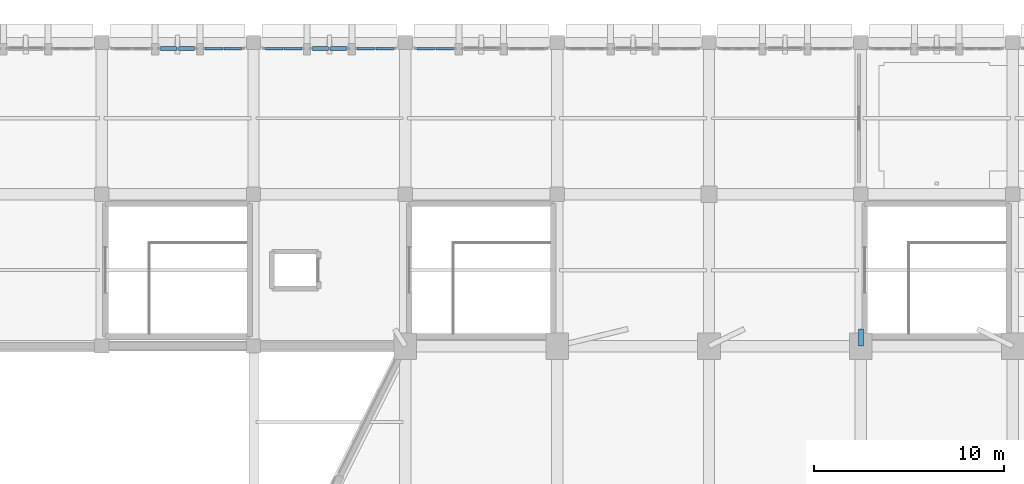
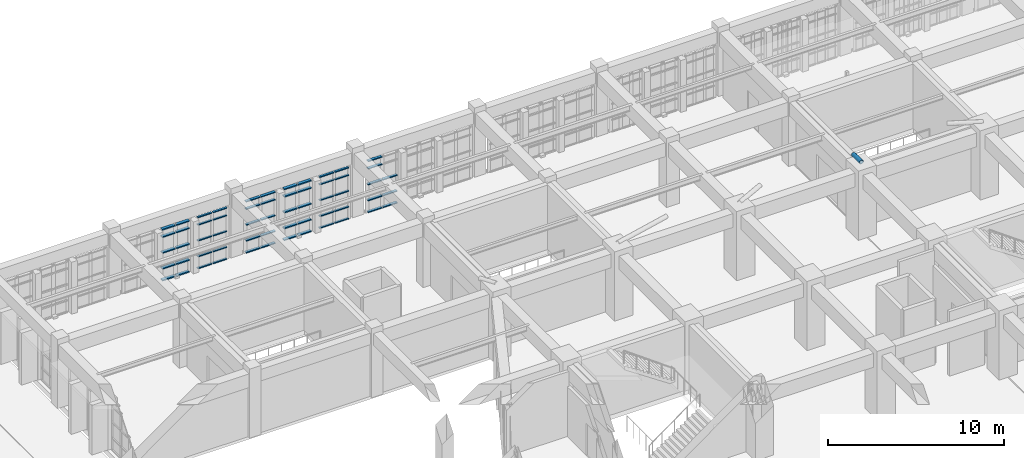
# One storey, part 69 of 155: 59 members, 6 elements without a shape of their own.
"""IFC4 building model written with IfcOpenShell, lengths in metres."""

from ifc_helpers import new_model, si_unit, direction, frame, origin, origin_2d, place, context, subcontext, project, spatial, rectangle, hollow_circle, extrude, material, layer, layer_set, material_profile, profile_set, type_object, element, aggregate, save


model = new_model("IFC4")

# Units and contexts
model_context = context("Model", 3, precision=1e-05, world=origin(), true_north=direction((0.0, 1.0)))
body_context = subcontext(model_context, "Body", "Model", "MODEL_VIEW")
ifc_project = project(units=[si_unit("LENGTHUNIT", "METRE"), si_unit("AREAUNIT", "SQUARE_METRE"), si_unit("VOLUMEUNIT", "CUBIC_METRE"), si_unit("PLANEANGLEUNIT", "RADIAN"), si_unit("MASSUNIT", "GRAM", prefix="KILO")], contexts=[model_context])

# Site, building, storey
site_placement = place(None, origin())
site = spatial("IfcSite", under=ifc_project, at=site_placement, CompositionType="ELEMENT")
building_placement = place(site_placement, origin())
building = spatial("IfcBuilding", under=site, at=building_placement, Name="Tazarka Park Arena", CompositionType="ELEMENT")
storey_placement = place(building_placement, frame((0.0, 0.0, 5.39990234375)))
storey = spatial("IfcBuildingStorey", under=building, at=storey_placement, Name="L01", CompositionType="ELEMENT", Elevation=5.39990234375)

# Curtain wall, members
ifc_material_1 = material(Name="Aluminium and low-e glass", Category="aluminium")
ifc_layer_1 = layer(ifc_material_1, 0.179931640625, Name="Aluminium and low-e glass")
ifc_layer_set_1 = layer_set([ifc_layer_1], Name="Aluminium and low-e glass")
curtain_wall_type_1 = type_object("IfcCurtainWallType", Name="CW-18", PredefinedType="NOTDEFINED", material=ifc_layer_set_1)
curtain_wall_1_placement = place(storey_placement, origin())
curtain_wall_1 = element("IfcCurtainWall", 1, at=curtain_wall_1_placement, inside=storey, type_object=curtain_wall_type_1, Name="Curtain Wall CWA-L01-048", PredefinedType="NOTDEFINED")
ifc_material_2 = material(Name="Aluminium 6060-T66", Category="aluminium")
ifc_material_profile_1 = material_profile(ifc_material_2, rectangle(XDim=0.139892578125, YDim=0.06494140625, at=origin_2d()), Name="Aluminium 6060-T66")
ifc_profile_set_1 = profile_set([ifc_material_profile_1], Name="Aluminium 6060-T66")
member_type_1 = type_object("IfcMemberType", Name="CWT-01", PredefinedType="USERDEFINED", material=ifc_profile_set_1)
member_1_placement = place(storey_placement, frame((61.456787109375, 127.679931640625, 0.03271484375), z_axis=(1.0, 0.0, 0.0), x_axis=(0.0, 1.0, 0.0)))
member_1 = element("IfcMember", 2, at=member_1_placement, type_object=member_type_1, Name="CW-18 transom 1.1", ObjectType="TRANSOM", PredefinedType="USERDEFINED", context=body_context, shape_type="SweptSolid", body=[
    extrude(rectangle(XDim=0.139892578125, YDim=0.06494140625, at=origin_2d()), origin(), (0.0, 0.0, 1.0), 0.928955078125),
])
member_2_placement = place(storey_placement, frame((61.456787109375, 127.679931640625, 0.85009765625), z_axis=(1.0, 0.0, 0.0), x_axis=(0.0, 1.0, 0.0)))
member_2 = element("IfcMember", 3, at=member_2_placement, type_object=member_type_1, Name="CW-18 transom 1.2", ObjectType="TRANSOM", PredefinedType="USERDEFINED", context=body_context, shape_type="SweptSolid", body=[
    extrude(rectangle(XDim=0.139892578125, YDim=0.06494140625, at=origin_2d()), origin(), (0.0, 0.0, 1.0), 0.928955078125),
])
member_3_placement = place(storey_placement, frame((61.456787109375, 127.679931640625, 1.9501953125), z_axis=(1.0, 0.0, 0.0), x_axis=(0.0, 1.0, 0.0)))
member_3 = element("IfcMember", 4, at=member_3_placement, type_object=member_type_1, Name="CW-18 transom 1.3", ObjectType="TRANSOM", PredefinedType="USERDEFINED", context=body_context, shape_type="SweptSolid", body=[
    extrude(rectangle(XDim=0.139892578125, YDim=0.06494140625, at=origin_2d()), origin(), (0.0, 0.0, 1.0), 0.928955078125),
])
member_4_placement = place(storey_placement, frame((61.456787109375, 127.679931640625, 3.050048828125), z_axis=(1.0, 0.0, 0.0), x_axis=(0.0, 1.0, 0.0)))
member_4 = element("IfcMember", 5, at=member_4_placement, type_object=member_type_1, Name="CW-18 transom 1.4", ObjectType="TRANSOM", PredefinedType="USERDEFINED", context=body_context, shape_type="SweptSolid", body=[
    extrude(rectangle(XDim=0.139892578125, YDim=0.06494140625, at=origin_2d()), origin(), (0.0, 0.0, 1.0), 0.928955078125),
])
member_5_placement = place(storey_placement, frame((61.456787109375, 127.679931640625, 3.567626953125), z_axis=(1.0, 0.0, 0.0), x_axis=(0.0, 1.0, 0.0)))
member_5 = element("IfcMember", 6, at=member_5_placement, type_object=member_type_1, Name="CW-18 transom 1.5", ObjectType="TRANSOM", PredefinedType="USERDEFINED", context=body_context, shape_type="SweptSolid", body=[
    extrude(rectangle(XDim=0.139892578125, YDim=0.06494140625, at=origin_2d()), origin(), (0.0, 0.0, 1.0), 0.928955078125),
])
member_6_placement = place(storey_placement, frame((62.450927734375, 127.679931640625, 0.03271484375), z_axis=(1.0, 0.0, 0.0), x_axis=(0.0, 1.0, 0.0)))
member_6 = element("IfcMember", 7, at=member_6_placement, type_object=member_type_1, Name="CW-18 transom 2.1", ObjectType="TRANSOM", PredefinedType="USERDEFINED", context=body_context, shape_type="SweptSolid", body=[
    extrude(rectangle(XDim=0.139892578125, YDim=0.06494140625, at=origin_2d()), origin(), (0.0, 0.0, 1.0), 0.928955078125),
])
member_7_placement = place(storey_placement, frame((62.450927734375, 127.679931640625, 0.85009765625), z_axis=(1.0, 0.0, 0.0), x_axis=(0.0, 1.0, 0.0)))
member_7 = element("IfcMember", 8, at=member_7_placement, type_object=member_type_1, Name="CW-18 transom 2.2", ObjectType="TRANSOM", PredefinedType="USERDEFINED", context=body_context, shape_type="SweptSolid", body=[
    extrude(rectangle(XDim=0.139892578125, YDim=0.06494140625, at=origin_2d()), origin(), (0.0, 0.0, 1.0), 0.928955078125),
])
member_8_placement = place(storey_placement, frame((62.450927734375, 127.679931640625, 1.9501953125), z_axis=(1.0, 0.0, 0.0), x_axis=(0.0, 1.0, 0.0)))
member_8 = element("IfcMember", 9, at=member_8_placement, type_object=member_type_1, Name="CW-18 transom 2.3", ObjectType="TRANSOM", PredefinedType="USERDEFINED", context=body_context, shape_type="SweptSolid", body=[
    extrude(rectangle(XDim=0.139892578125, YDim=0.06494140625, at=origin_2d()), origin(), (0.0, 0.0, 1.0), 0.928955078125),
])
member_9_placement = place(storey_placement, frame((62.450927734375, 127.679931640625, 3.050048828125), z_axis=(1.0, 0.0, 0.0), x_axis=(0.0, 1.0, 0.0)))
member_9 = element("IfcMember", 10, at=member_9_placement, type_object=member_type_1, Name="CW-18 transom 2.4", ObjectType="TRANSOM", PredefinedType="USERDEFINED", context=body_context, shape_type="SweptSolid", body=[
    extrude(rectangle(XDim=0.139892578125, YDim=0.06494140625, at=origin_2d()), origin(), (0.0, 0.0, 1.0), 0.928955078125),
])
member_10_placement = place(storey_placement, frame((62.450927734375, 127.679931640625, 3.567626953125), z_axis=(1.0, 0.0, 0.0), x_axis=(0.0, 1.0, 0.0)))
member_10 = element("IfcMember", 11, at=member_10_placement, type_object=member_type_1, Name="CW-18 transom 2.5", ObjectType="TRANSOM", PredefinedType="USERDEFINED", context=body_context, shape_type="SweptSolid", body=[
    extrude(rectangle(XDim=0.139892578125, YDim=0.06494140625, at=origin_2d()), origin(), (0.0, 0.0, 1.0), 0.928955078125),
])
aggregate(curtain_wall_1, [member_1, member_2, member_3, member_4, member_5, member_6, member_7, member_8, member_9, member_10])

ifc_material_3 = material(Name="Aluminium and low-e glass", Category="aluminium")
ifc_layer_2 = layer(ifc_material_3, 0.179931640625, Name="Aluminium and low-e glass")
ifc_layer_set_2 = layer_set([ifc_layer_2], Name="Aluminium and low-e glass")
curtain_wall_type_2 = type_object("IfcCurtainWallType", Name="CW-21", PredefinedType="NOTDEFINED", material=ifc_layer_set_2)
curtain_wall_2_placement = place(storey_placement, origin())
curtain_wall_2 = element("IfcCurtainWall", 12, at=curtain_wall_2_placement, inside=storey, type_object=curtain_wall_type_2, Name="Curtain Wall CWA-L01-051", PredefinedType="NOTDEFINED")
member_11_placement = place(storey_placement, frame((53.456787109375, 127.679931640625, 0.03271484375), z_axis=(1.0, 0.0, 0.0), x_axis=(0.0, 1.0, 0.0)))
member_11 = element("IfcMember", 13, at=member_11_placement, type_object=member_type_1, Name="CW-21 transom 1.1", ObjectType="TRANSOM", PredefinedType="USERDEFINED", context=body_context, shape_type="SweptSolid", body=[
    extrude(rectangle(XDim=0.139892578125, YDim=0.06494140625, at=origin_2d()), origin(), (0.0, 0.0, 1.0), 0.928955078125),
])
member_12_placement = place(storey_placement, frame((53.456787109375, 127.679931640625, 0.85009765625), z_axis=(1.0, 0.0, 0.0), x_axis=(0.0, 1.0, 0.0)))
member_12 = element("IfcMember", 14, at=member_12_placement, type_object=member_type_1, Name="CW-21 transom 1.2", ObjectType="TRANSOM", PredefinedType="USERDEFINED", context=body_context, shape_type="SweptSolid", body=[
    extrude(rectangle(XDim=0.139892578125, YDim=0.06494140625, at=origin_2d()), origin(), (0.0, 0.0, 1.0), 0.928955078125),
])
member_13_placement = place(storey_placement, frame((53.456787109375, 127.679931640625, 1.9501953125), z_axis=(1.0, 0.0, 0.0), x_axis=(0.0, 1.0, 0.0)))
member_13 = element("IfcMember", 15, at=member_13_placement, type_object=member_type_1, Name="CW-21 transom 1.3", ObjectType="TRANSOM", PredefinedType="USERDEFINED", context=body_context, shape_type="SweptSolid", body=[
    extrude(rectangle(XDim=0.139892578125, YDim=0.06494140625, at=origin_2d()), origin(), (0.0, 0.0, 1.0), 0.928955078125),
])
member_14_placement = place(storey_placement, frame((53.456787109375, 127.679931640625, 3.050048828125), z_axis=(1.0, 0.0, 0.0), x_axis=(0.0, 1.0, 0.0)))
member_14 = element("IfcMember", 16, at=member_14_placement, type_object=member_type_1, Name="CW-21 transom 1.4", ObjectType="TRANSOM", PredefinedType="USERDEFINED", context=body_context, shape_type="SweptSolid", body=[
    extrude(rectangle(XDim=0.139892578125, YDim=0.06494140625, at=origin_2d()), origin(), (0.0, 0.0, 1.0), 0.928955078125),
])
member_15_placement = place(storey_placement, frame((53.456787109375, 127.679931640625, 3.567626953125), z_axis=(1.0, 0.0, 0.0), x_axis=(0.0, 1.0, 0.0)))
member_15 = element("IfcMember", 17, at=member_15_placement, type_object=member_type_1, Name="CW-21 transom 1.5", ObjectType="TRANSOM", PredefinedType="USERDEFINED", context=body_context, shape_type="SweptSolid", body=[
    extrude(rectangle(XDim=0.139892578125, YDim=0.06494140625, at=origin_2d()), origin(), (0.0, 0.0, 1.0), 0.928955078125),
])
member_16_placement = place(storey_placement, frame((54.450927734375, 127.679931640625, 0.03271484375), z_axis=(1.0, 0.0, 0.0), x_axis=(0.0, 1.0, 0.0)))
member_16 = element("IfcMember", 18, at=member_16_placement, type_object=member_type_1, Name="CW-21 transom 2.1", ObjectType="TRANSOM", PredefinedType="USERDEFINED", context=body_context, shape_type="SweptSolid", body=[
    extrude(rectangle(XDim=0.139892578125, YDim=0.06494140625, at=origin_2d()), origin(), (0.0, 0.0, 1.0), 0.928955078125),
])
member_17_placement = place(storey_placement, frame((54.450927734375, 127.679931640625, 0.85009765625), z_axis=(1.0, 0.0, 0.0), x_axis=(0.0, 1.0, 0.0)))
member_17 = element("IfcMember", 19, at=member_17_placement, type_object=member_type_1, Name="CW-21 transom 2.2", ObjectType="TRANSOM", PredefinedType="USERDEFINED", context=body_context, shape_type="SweptSolid", body=[
    extrude(rectangle(XDim=0.139892578125, YDim=0.06494140625, at=origin_2d()), origin(), (0.0, 0.0, 1.0), 0.928955078125),
])
member_18_placement = place(storey_placement, frame((54.450927734375, 127.679931640625, 1.9501953125), z_axis=(1.0, 0.0, 0.0), x_axis=(0.0, 1.0, 0.0)))
member_18 = element("IfcMember", 20, at=member_18_placement, type_object=member_type_1, Name="CW-21 transom 2.3", ObjectType="TRANSOM", PredefinedType="USERDEFINED", context=body_context, shape_type="SweptSolid", body=[
    extrude(rectangle(XDim=0.139892578125, YDim=0.06494140625, at=origin_2d()), origin(), (0.0, 0.0, 1.0), 0.928955078125),
])
member_19_placement = place(storey_placement, frame((54.450927734375, 127.679931640625, 3.050048828125), z_axis=(1.0, 0.0, 0.0), x_axis=(0.0, 1.0, 0.0)))
member_19 = element("IfcMember", 21, at=member_19_placement, type_object=member_type_1, Name="CW-21 transom 2.4", ObjectType="TRANSOM", PredefinedType="USERDEFINED", context=body_context, shape_type="SweptSolid", body=[
    extrude(rectangle(XDim=0.139892578125, YDim=0.06494140625, at=origin_2d()), origin(), (0.0, 0.0, 1.0), 0.928955078125),
])
member_20_placement = place(storey_placement, frame((54.450927734375, 127.679931640625, 3.567626953125), z_axis=(1.0, 0.0, 0.0), x_axis=(0.0, 1.0, 0.0)))
member_20 = element("IfcMember", 22, at=member_20_placement, type_object=member_type_1, Name="CW-21 transom 2.5", ObjectType="TRANSOM", PredefinedType="USERDEFINED", context=body_context, shape_type="SweptSolid", body=[
    extrude(rectangle(XDim=0.139892578125, YDim=0.06494140625, at=origin_2d()), origin(), (0.0, 0.0, 1.0), 0.928955078125),
])
aggregate(curtain_wall_2, [member_11, member_12, member_13, member_14, member_15, member_16, member_17, member_18, member_19, member_20])

ifc_material_4 = material(Name="Aluminium and low-e glass", Category="aluminium")
ifc_layer_3 = layer(ifc_material_4, 0.179931640625, Name="Aluminium and low-e glass")
ifc_layer_set_3 = layer_set([ifc_layer_3], Name="Aluminium and low-e glass")
curtain_wall_type_3 = type_object("IfcCurtainWallType", Name="CW-13", PredefinedType="NOTDEFINED", material=ifc_layer_set_3)
curtain_wall_3_placement = place(storey_placement, origin())
curtain_wall_3 = element("IfcCurtainWall", 23, at=curtain_wall_3_placement, inside=storey, type_object=curtain_wall_type_3, Name="Curtain Wall CWA-L01-043", PredefinedType="NOTDEFINED")
ifc_material_5 = material(Name="Aluminium 6060-T66", Category="aluminium")
ifc_material_profile_2 = material_profile(ifc_material_5, rectangle(XDim=0.179931640625, YDim=0.06494140625, at=origin_2d()), Name="Aluminium 6060-T66")
ifc_profile_set_2 = profile_set([ifc_material_profile_2], Name="Aluminium 6060-T66")
member_type_2 = type_object("IfcMemberType", Name="CWT-02", PredefinedType="USERDEFINED", material=ifc_profile_set_2)
member_21_placement = place(storey_placement, frame((64.6201171875, 127.679931640625, 0.03271484375), z_axis=(1.0, 0.0, 0.0), x_axis=(0.0, 1.0, 0.0)))
member_21 = element("IfcMember", 24, at=member_21_placement, type_object=member_type_2, Name="CW-13 transom 1.1", ObjectType="TRANSOM", PredefinedType="USERDEFINED", context=body_context, shape_type="SweptSolid", body=[
    extrude(rectangle(XDim=0.179931640625, YDim=0.06494140625, at=origin_2d()), origin(), (0.0, 0.0, 1.0), 0.928955078125),
])
member_22_placement = place(storey_placement, frame((64.6201171875, 127.679931640625, 0.85009765625), z_axis=(1.0, 0.0, 0.0), x_axis=(0.0, 1.0, 0.0)))
member_22 = element("IfcMember", 25, at=member_22_placement, type_object=member_type_2, Name="CW-13 transom 1.2", ObjectType="TRANSOM", PredefinedType="USERDEFINED", context=body_context, shape_type="SweptSolid", body=[
    extrude(rectangle(XDim=0.179931640625, YDim=0.06494140625, at=origin_2d()), origin(), (0.0, 0.0, 1.0), 0.928955078125),
])
member_23_placement = place(storey_placement, frame((64.6201171875, 127.679931640625, 1.9501953125), z_axis=(1.0, 0.0, 0.0), x_axis=(0.0, 1.0, 0.0)))
member_23 = element("IfcMember", 26, at=member_23_placement, type_object=member_type_2, Name="CW-13 transom 1.3", ObjectType="TRANSOM", PredefinedType="USERDEFINED", context=body_context, shape_type="SweptSolid", body=[
    extrude(rectangle(XDim=0.179931640625, YDim=0.06494140625, at=origin_2d()), origin(), (0.0, 0.0, 1.0), 0.928955078125),
])
member_24_placement = place(storey_placement, frame((64.6201171875, 127.679931640625, 3.050048828125), z_axis=(1.0, 0.0, 0.0), x_axis=(0.0, 1.0, 0.0)))
member_24 = element("IfcMember", 27, at=member_24_placement, type_object=member_type_2, Name="CW-13 transom 1.4", ObjectType="TRANSOM", PredefinedType="USERDEFINED", context=body_context, shape_type="SweptSolid", body=[
    extrude(rectangle(XDim=0.179931640625, YDim=0.06494140625, at=origin_2d()), origin(), (0.0, 0.0, 1.0), 0.928955078125),
])
member_25_placement = place(storey_placement, frame((64.6201171875, 127.679931640625, 3.567626953125), z_axis=(1.0, 0.0, 0.0), x_axis=(0.0, 1.0, 0.0)))
member_25 = element("IfcMember", 28, at=member_25_placement, type_object=member_type_2, Name="CW-13 transom 1.5", ObjectType="TRANSOM", PredefinedType="USERDEFINED", context=body_context, shape_type="SweptSolid", body=[
    extrude(rectangle(XDim=0.179931640625, YDim=0.06494140625, at=origin_2d()), origin(), (0.0, 0.0, 1.0), 0.928955078125),
])
member_26_placement = place(storey_placement, frame((65.6142578125, 127.679931640625, 0.03271484375), z_axis=(1.0, 0.0, 0.0), x_axis=(0.0, 1.0, 0.0)))
member_26 = element("IfcMember", 29, at=member_26_placement, type_object=member_type_2, Name="CW-13 transom 2.1", ObjectType="TRANSOM", PredefinedType="USERDEFINED", context=body_context, shape_type="SweptSolid", body=[
    extrude(rectangle(XDim=0.179931640625, YDim=0.06494140625, at=origin_2d()), origin(), (0.0, 0.0, 1.0), 0.928955078125),
])
member_27_placement = place(storey_placement, frame((65.6142578125, 127.679931640625, 0.85009765625), z_axis=(1.0, 0.0, 0.0), x_axis=(0.0, 1.0, 0.0)))
member_27 = element("IfcMember", 30, at=member_27_placement, type_object=member_type_2, Name="CW-13 transom 2.2", ObjectType="TRANSOM", PredefinedType="USERDEFINED", context=body_context, shape_type="SweptSolid", body=[
    extrude(rectangle(XDim=0.179931640625, YDim=0.06494140625, at=origin_2d()), origin(), (0.0, 0.0, 1.0), 0.928955078125),
])
member_28_placement = place(storey_placement, frame((65.6142578125, 127.679931640625, 1.9501953125), z_axis=(1.0, 0.0, 0.0), x_axis=(0.0, 1.0, 0.0)))
member_28 = element("IfcMember", 31, at=member_28_placement, type_object=member_type_2, Name="CW-13 transom 2.3", ObjectType="TRANSOM", PredefinedType="USERDEFINED", context=body_context, shape_type="SweptSolid", body=[
    extrude(rectangle(XDim=0.179931640625, YDim=0.06494140625, at=origin_2d()), origin(), (0.0, 0.0, 1.0), 0.928955078125),
])
aggregate(curtain_wall_3, [member_21, member_22, member_23, member_24, member_25, member_26, member_27, member_28])

ifc_material_6 = material(Name="Aluminium and low-e glass", Category="aluminium")
ifc_layer_4 = layer(ifc_material_6, 0.179931640625, Name="Aluminium and low-e glass")
ifc_layer_set_4 = layer_set([ifc_layer_4], Name="Aluminium and low-e glass")
curtain_wall_type_4 = type_object("IfcCurtainWallType", Name="CW-16", PredefinedType="NOTDEFINED", material=ifc_layer_set_4)
curtain_wall_4_placement = place(storey_placement, origin())
curtain_wall_4 = element("IfcCurtainWall", 32, at=curtain_wall_4_placement, inside=storey, type_object=curtain_wall_type_4, Name="Curtain Wall CWA-L01-046", PredefinedType="NOTDEFINED")
member_29_placement = place(storey_placement, frame((56.6201171875, 127.679931640625, 0.03271484375), z_axis=(1.0, 0.0, 0.0), x_axis=(0.0, 1.0, 0.0)))
member_29 = element("IfcMember", 33, at=member_29_placement, type_object=member_type_2, Name="CW-16 transom 1.1", ObjectType="TRANSOM", PredefinedType="USERDEFINED", context=body_context, shape_type="SweptSolid", body=[
    extrude(rectangle(XDim=0.179931640625, YDim=0.06494140625, at=origin_2d()), origin(), (0.0, 0.0, 1.0), 0.928955078125),
])
member_30_placement = place(storey_placement, frame((56.6201171875, 127.679931640625, 0.85009765625), z_axis=(1.0, 0.0, 0.0), x_axis=(0.0, 1.0, 0.0)))
member_30 = element("IfcMember", 34, at=member_30_placement, type_object=member_type_2, Name="CW-16 transom 1.2", ObjectType="TRANSOM", PredefinedType="USERDEFINED", context=body_context, shape_type="SweptSolid", body=[
    extrude(rectangle(XDim=0.179931640625, YDim=0.06494140625, at=origin_2d()), origin(), (0.0, 0.0, 1.0), 0.928955078125),
])
member_31_placement = place(storey_placement, frame((56.6201171875, 127.679931640625, 1.9501953125), z_axis=(1.0, 0.0, 0.0), x_axis=(0.0, 1.0, 0.0)))
member_31 = element("IfcMember", 35, at=member_31_placement, type_object=member_type_2, Name="CW-16 transom 1.3", ObjectType="TRANSOM", PredefinedType="USERDEFINED", context=body_context, shape_type="SweptSolid", body=[
    extrude(rectangle(XDim=0.179931640625, YDim=0.06494140625, at=origin_2d()), origin(), (0.0, 0.0, 1.0), 0.928955078125),
])
member_32_placement = place(storey_placement, frame((56.6201171875, 127.679931640625, 3.050048828125), z_axis=(1.0, 0.0, 0.0), x_axis=(0.0, 1.0, 0.0)))
member_32 = element("IfcMember", 36, at=member_32_placement, type_object=member_type_2, Name="CW-16 transom 1.4", ObjectType="TRANSOM", PredefinedType="USERDEFINED", context=body_context, shape_type="SweptSolid", body=[
    extrude(rectangle(XDim=0.179931640625, YDim=0.06494140625, at=origin_2d()), origin(), (0.0, 0.0, 1.0), 0.928955078125),
])
member_33_placement = place(storey_placement, frame((56.6201171875, 127.679931640625, 3.567626953125), z_axis=(1.0, 0.0, 0.0), x_axis=(0.0, 1.0, 0.0)))
member_33 = element("IfcMember", 37, at=member_33_placement, type_object=member_type_2, Name="CW-16 transom 1.5", ObjectType="TRANSOM", PredefinedType="USERDEFINED", context=body_context, shape_type="SweptSolid", body=[
    extrude(rectangle(XDim=0.179931640625, YDim=0.06494140625, at=origin_2d()), origin(), (0.0, 0.0, 1.0), 0.928955078125),
])
member_34_placement = place(storey_placement, frame((57.6142578125, 127.679931640625, 0.03271484375), z_axis=(1.0, 0.0, 0.0), x_axis=(0.0, 1.0, 0.0)))
member_34 = element("IfcMember", 38, at=member_34_placement, type_object=member_type_2, Name="CW-16 transom 2.1", ObjectType="TRANSOM", PredefinedType="USERDEFINED", context=body_context, shape_type="SweptSolid", body=[
    extrude(rectangle(XDim=0.179931640625, YDim=0.06494140625, at=origin_2d()), origin(), (0.0, 0.0, 1.0), 0.928955078125),
])
member_35_placement = place(storey_placement, frame((57.6142578125, 127.679931640625, 0.85009765625), z_axis=(1.0, 0.0, 0.0), x_axis=(0.0, 1.0, 0.0)))
member_35 = element("IfcMember", 39, at=member_35_placement, type_object=member_type_2, Name="CW-16 transom 2.2", ObjectType="TRANSOM", PredefinedType="USERDEFINED", context=body_context, shape_type="SweptSolid", body=[
    extrude(rectangle(XDim=0.179931640625, YDim=0.06494140625, at=origin_2d()), origin(), (0.0, 0.0, 1.0), 0.928955078125),
])
member_36_placement = place(storey_placement, frame((57.6142578125, 127.679931640625, 1.9501953125), z_axis=(1.0, 0.0, 0.0), x_axis=(0.0, 1.0, 0.0)))
member_36 = element("IfcMember", 40, at=member_36_placement, type_object=member_type_2, Name="CW-16 transom 2.3", ObjectType="TRANSOM", PredefinedType="USERDEFINED", context=body_context, shape_type="SweptSolid", body=[
    extrude(rectangle(XDim=0.179931640625, YDim=0.06494140625, at=origin_2d()), origin(), (0.0, 0.0, 1.0), 0.928955078125),
])
member_37_placement = place(storey_placement, frame((57.6142578125, 127.679931640625, 3.050048828125), z_axis=(1.0, 0.0, 0.0), x_axis=(0.0, 1.0, 0.0)))
member_37 = element("IfcMember", 41, at=member_37_placement, type_object=member_type_2, Name="CW-16 transom 2.4", ObjectType="TRANSOM", PredefinedType="USERDEFINED", context=body_context, shape_type="SweptSolid", body=[
    extrude(rectangle(XDim=0.179931640625, YDim=0.06494140625, at=origin_2d()), origin(), (0.0, 0.0, 1.0), 0.928955078125),
])
member_38_placement = place(storey_placement, frame((57.6142578125, 127.679931640625, 3.567626953125), z_axis=(1.0, 0.0, 0.0), x_axis=(0.0, 1.0, 0.0)))
member_38 = element("IfcMember", 42, at=member_38_placement, type_object=member_type_2, Name="CW-16 transom 2.5", ObjectType="TRANSOM", PredefinedType="USERDEFINED", context=body_context, shape_type="SweptSolid", body=[
    extrude(rectangle(XDim=0.179931640625, YDim=0.06494140625, at=origin_2d()), origin(), (0.0, 0.0, 1.0), 0.928955078125),
])
aggregate(curtain_wall_4, [member_29, member_30, member_31, member_32, member_33, member_34, member_35, member_36, member_37, member_38])

ifc_material_7 = material(Name="Aluminium and low-e glass", Category="aluminium")
ifc_layer_5 = layer(ifc_material_7, 0.179931640625, Name="Aluminium and low-e glass")
ifc_layer_set_5 = layer_set([ifc_layer_5], Name="Aluminium and low-e glass")
curtain_wall_type_5 = type_object("IfcCurtainWallType", Name="CW-17", PredefinedType="NOTDEFINED", material=ifc_layer_set_5)
curtain_wall_5_placement = place(storey_placement, origin())
curtain_wall_5 = element("IfcCurtainWall", 43, at=curtain_wall_5_placement, inside=storey, type_object=curtain_wall_type_5, Name="Curtain Wall CWA-L01-047", PredefinedType="NOTDEFINED")
ifc_material_8 = material(Name="Aluminium 6060-T66", Category="aluminium")
ifc_material_profile_3 = material_profile(ifc_material_8, rectangle(XDim=0.2099609375, YDim=0.074951171875, at=origin_2d()), Name="Aluminium 6060-T66")
ifc_profile_set_3 = profile_set([ifc_material_profile_3], Name="Aluminium 6060-T66")
member_type_3 = type_object("IfcMemberType", Name="CWT-03", PredefinedType="USERDEFINED", material=ifc_profile_set_3)
member_39_placement = place(storey_placement, frame((59.103271484375, 127.679931640625, 0.03759765625), z_axis=(1.0, 0.0, 0.0), x_axis=(0.0, 1.0, 0.0)))
member_39 = element("IfcMember", 44, at=member_39_placement, type_object=member_type_3, Name="CW-17 transom 1.1", ObjectType="TRANSOM", PredefinedType="USERDEFINED", context=body_context, shape_type="SweptSolid", body=[
    extrude(rectangle(XDim=0.2099609375, YDim=0.074951171875, at=origin_2d()), origin(), (0.0, 0.0, 1.0), 0.859130859375),
])
member_40_placement = place(storey_placement, frame((59.103271484375, 127.679931640625, 0.85009765625), z_axis=(1.0, 0.0, 0.0), x_axis=(0.0, 1.0, 0.0)))
member_40 = element("IfcMember", 45, at=member_40_placement, type_object=member_type_3, Name="CW-17 transom 1.2", ObjectType="TRANSOM", PredefinedType="USERDEFINED", context=body_context, shape_type="SweptSolid", body=[
    extrude(rectangle(XDim=0.2099609375, YDim=0.074951171875, at=origin_2d()), origin(), (0.0, 0.0, 1.0), 0.859130859375),
])
member_41_placement = place(storey_placement, frame((59.103271484375, 127.679931640625, 1.9501953125), z_axis=(1.0, 0.0, 0.0), x_axis=(0.0, 1.0, 0.0)))
member_41 = element("IfcMember", 46, at=member_41_placement, type_object=member_type_3, Name="CW-17 transom 1.3", ObjectType="TRANSOM", PredefinedType="USERDEFINED", context=body_context, shape_type="SweptSolid", body=[
    extrude(rectangle(XDim=0.2099609375, YDim=0.074951171875, at=origin_2d()), origin(), (0.0, 0.0, 1.0), 0.859130859375),
])
member_42_placement = place(storey_placement, frame((59.103271484375, 127.679931640625, 3.050048828125), z_axis=(1.0, 0.0, 0.0), x_axis=(0.0, 1.0, 0.0)))
member_42 = element("IfcMember", 47, at=member_42_placement, type_object=member_type_3, Name="CW-17 transom 1.4", ObjectType="TRANSOM", PredefinedType="USERDEFINED", context=body_context, shape_type="SweptSolid", body=[
    extrude(rectangle(XDim=0.2099609375, YDim=0.074951171875, at=origin_2d()), origin(), (0.0, 0.0, 1.0), 0.859130859375),
])
member_43_placement = place(storey_placement, frame((59.103271484375, 127.679931640625, 3.5625), z_axis=(1.0, 0.0, 0.0), x_axis=(0.0, 1.0, 0.0)))
member_43 = element("IfcMember", 48, at=member_43_placement, type_object=member_type_3, Name="CW-17 transom 1.5", ObjectType="TRANSOM", PredefinedType="USERDEFINED", context=body_context, shape_type="SweptSolid", body=[
    extrude(rectangle(XDim=0.2099609375, YDim=0.074951171875, at=origin_2d()), origin(), (0.0, 0.0, 1.0), 0.859130859375),
])
member_44_placement = place(storey_placement, frame((60.03759765625, 127.679931640625, 0.03759765625), z_axis=(1.0, 0.0, 0.0), x_axis=(0.0, 1.0, 0.0)))
member_44 = element("IfcMember", 49, at=member_44_placement, type_object=member_type_3, Name="CW-17 transom 2.1", ObjectType="TRANSOM", PredefinedType="USERDEFINED", context=body_context, shape_type="SweptSolid", body=[
    extrude(rectangle(XDim=0.2099609375, YDim=0.074951171875, at=origin_2d()), origin(), (0.0, 0.0, 1.0), 0.859130859375),
])
member_45_placement = place(storey_placement, frame((60.03759765625, 127.679931640625, 0.85009765625), z_axis=(1.0, 0.0, 0.0), x_axis=(0.0, 1.0, 0.0)))
member_45 = element("IfcMember", 50, at=member_45_placement, type_object=member_type_3, Name="CW-17 transom 2.2", ObjectType="TRANSOM", PredefinedType="USERDEFINED", context=body_context, shape_type="SweptSolid", body=[
    extrude(rectangle(XDim=0.2099609375, YDim=0.074951171875, at=origin_2d()), origin(), (0.0, 0.0, 1.0), 0.859130859375),
])
member_46_placement = place(storey_placement, frame((60.03759765625, 127.679931640625, 1.9501953125), z_axis=(1.0, 0.0, 0.0), x_axis=(0.0, 1.0, 0.0)))
member_46 = element("IfcMember", 51, at=member_46_placement, type_object=member_type_3, Name="CW-17 transom 2.3", ObjectType="TRANSOM", PredefinedType="USERDEFINED", context=body_context, shape_type="SweptSolid", body=[
    extrude(rectangle(XDim=0.2099609375, YDim=0.074951171875, at=origin_2d()), origin(), (0.0, 0.0, 1.0), 0.859130859375),
])
member_47_placement = place(storey_placement, frame((60.03759765625, 127.679931640625, 3.050048828125), z_axis=(1.0, 0.0, 0.0), x_axis=(0.0, 1.0, 0.0)))
member_47 = element("IfcMember", 52, at=member_47_placement, type_object=member_type_3, Name="CW-17 transom 2.4", ObjectType="TRANSOM", PredefinedType="USERDEFINED", context=body_context, shape_type="SweptSolid", body=[
    extrude(rectangle(XDim=0.2099609375, YDim=0.074951171875, at=origin_2d()), origin(), (0.0, 0.0, 1.0), 0.859130859375),
])
member_48_placement = place(storey_placement, frame((60.03759765625, 127.679931640625, 3.5625), z_axis=(1.0, 0.0, 0.0), x_axis=(0.0, 1.0, 0.0)))
member_48 = element("IfcMember", 53, at=member_48_placement, type_object=member_type_3, Name="CW-17 transom 2.5", ObjectType="TRANSOM", PredefinedType="USERDEFINED", context=body_context, shape_type="SweptSolid", body=[
    extrude(rectangle(XDim=0.2099609375, YDim=0.074951171875, at=origin_2d()), origin(), (0.0, 0.0, 1.0), 0.859130859375),
])
aggregate(curtain_wall_5, [member_39, member_40, member_41, member_42, member_43, member_44, member_45, member_46, member_47, member_48])

ifc_material_9 = material(Name="Aluminium and low-e glass", Category="aluminium")
ifc_layer_6 = layer(ifc_material_9, 0.179931640625, Name="Aluminium and low-e glass")
ifc_layer_set_6 = layer_set([ifc_layer_6], Name="Aluminium and low-e glass")
curtain_wall_type_6 = type_object("IfcCurtainWallType", Name="CW-20", PredefinedType="NOTDEFINED", material=ifc_layer_set_6)
curtain_wall_6_placement = place(storey_placement, origin())
curtain_wall_6 = element("IfcCurtainWall", 54, at=curtain_wall_6_placement, inside=storey, type_object=curtain_wall_type_6, Name="Curtain Wall CWA-L01-050", PredefinedType="NOTDEFINED")
member_49_placement = place(storey_placement, frame((51.103271484375, 127.679931640625, 0.03759765625), z_axis=(1.0, 0.0, 0.0), x_axis=(0.0, 1.0, 0.0)))
member_49 = element("IfcMember", 55, at=member_49_placement, type_object=member_type_3, Name="CW-20 transom 1.1", ObjectType="TRANSOM", PredefinedType="USERDEFINED", context=body_context, shape_type="SweptSolid", body=[
    extrude(rectangle(XDim=0.2099609375, YDim=0.074951171875, at=origin_2d()), origin(), (0.0, 0.0, 1.0), 0.859130859375),
])
member_50_placement = place(storey_placement, frame((51.103271484375, 127.679931640625, 0.85009765625), z_axis=(1.0, 0.0, 0.0), x_axis=(0.0, 1.0, 0.0)))
member_50 = element("IfcMember", 56, at=member_50_placement, type_object=member_type_3, Name="CW-20 transom 1.2", ObjectType="TRANSOM", PredefinedType="USERDEFINED", context=body_context, shape_type="SweptSolid", body=[
    extrude(rectangle(XDim=0.2099609375, YDim=0.074951171875, at=origin_2d()), origin(), (0.0, 0.0, 1.0), 0.859130859375),
])
member_51_placement = place(storey_placement, frame((51.103271484375, 127.679931640625, 1.9501953125), z_axis=(1.0, 0.0, 0.0), x_axis=(0.0, 1.0, 0.0)))
member_51 = element("IfcMember", 57, at=member_51_placement, type_object=member_type_3, Name="CW-20 transom 1.3", ObjectType="TRANSOM", PredefinedType="USERDEFINED", context=body_context, shape_type="SweptSolid", body=[
    extrude(rectangle(XDim=0.2099609375, YDim=0.074951171875, at=origin_2d()), origin(), (0.0, 0.0, 1.0), 0.859130859375),
])
member_52_placement = place(storey_placement, frame((51.103271484375, 127.679931640625, 3.050048828125), z_axis=(1.0, 0.0, 0.0), x_axis=(0.0, 1.0, 0.0)))
member_52 = element("IfcMember", 58, at=member_52_placement, type_object=member_type_3, Name="CW-20 transom 1.4", ObjectType="TRANSOM", PredefinedType="USERDEFINED", context=body_context, shape_type="SweptSolid", body=[
    extrude(rectangle(XDim=0.2099609375, YDim=0.074951171875, at=origin_2d()), origin(), (0.0, 0.0, 1.0), 0.859130859375),
])
member_53_placement = place(storey_placement, frame((51.103271484375, 127.679931640625, 3.5625), z_axis=(1.0, 0.0, 0.0), x_axis=(0.0, 1.0, 0.0)))
member_53 = element("IfcMember", 59, at=member_53_placement, type_object=member_type_3, Name="CW-20 transom 1.5", ObjectType="TRANSOM", PredefinedType="USERDEFINED", context=body_context, shape_type="SweptSolid", body=[
    extrude(rectangle(XDim=0.2099609375, YDim=0.074951171875, at=origin_2d()), origin(), (0.0, 0.0, 1.0), 0.859130859375),
])
member_54_placement = place(storey_placement, frame((52.03759765625, 127.679931640625, 0.03759765625), z_axis=(1.0, 0.0, 0.0), x_axis=(0.0, 1.0, 0.0)))
member_54 = element("IfcMember", 60, at=member_54_placement, type_object=member_type_3, Name="CW-20 transom 2.1", ObjectType="TRANSOM", PredefinedType="USERDEFINED", context=body_context, shape_type="SweptSolid", body=[
    extrude(rectangle(XDim=0.2099609375, YDim=0.074951171875, at=origin_2d()), origin(), (0.0, 0.0, 1.0), 0.859130859375),
])
member_55_placement = place(storey_placement, frame((52.03759765625, 127.679931640625, 0.85009765625), z_axis=(1.0, 0.0, 0.0), x_axis=(0.0, 1.0, 0.0)))
member_55 = element("IfcMember", 61, at=member_55_placement, type_object=member_type_3, Name="CW-20 transom 2.2", ObjectType="TRANSOM", PredefinedType="USERDEFINED", context=body_context, shape_type="SweptSolid", body=[
    extrude(rectangle(XDim=0.2099609375, YDim=0.074951171875, at=origin_2d()), origin(), (0.0, 0.0, 1.0), 0.859130859375),
])
member_56_placement = place(storey_placement, frame((52.03759765625, 127.679931640625, 1.9501953125), z_axis=(1.0, 0.0, 0.0), x_axis=(0.0, 1.0, 0.0)))
member_56 = element("IfcMember", 62, at=member_56_placement, type_object=member_type_3, Name="CW-20 transom 2.3", ObjectType="TRANSOM", PredefinedType="USERDEFINED", context=body_context, shape_type="SweptSolid", body=[
    extrude(rectangle(XDim=0.2099609375, YDim=0.074951171875, at=origin_2d()), origin(), (0.0, 0.0, 1.0), 0.859130859375),
])
member_57_placement = place(storey_placement, frame((52.03759765625, 127.679931640625, 3.050048828125), z_axis=(1.0, 0.0, 0.0), x_axis=(0.0, 1.0, 0.0)))
member_57 = element("IfcMember", 63, at=member_57_placement, type_object=member_type_3, Name="CW-20 transom 2.4", ObjectType="TRANSOM", PredefinedType="USERDEFINED", context=body_context, shape_type="SweptSolid", body=[
    extrude(rectangle(XDim=0.2099609375, YDim=0.074951171875, at=origin_2d()), origin(), (0.0, 0.0, 1.0), 0.859130859375),
])
member_58_placement = place(storey_placement, frame((52.03759765625, 127.679931640625, 3.5625), z_axis=(1.0, 0.0, 0.0), x_axis=(0.0, 1.0, 0.0)))
member_58 = element("IfcMember", 64, at=member_58_placement, type_object=member_type_3, Name="CW-20 transom 2.5", ObjectType="TRANSOM", PredefinedType="USERDEFINED", context=body_context, shape_type="SweptSolid", body=[
    extrude(rectangle(XDim=0.2099609375, YDim=0.074951171875, at=origin_2d()), origin(), (0.0, 0.0, 1.0), 0.859130859375),
])
aggregate(curtain_wall_6, [member_49, member_50, member_51, member_52, member_53, member_54, member_55, member_56, member_57, member_58])

# Member
ifc_material_10 = material(Name="Steel S355", Category="steel")
ifc_material_profile_4 = material_profile(ifc_material_10, hollow_circle(Radius=0.136474609375, WallThickness=0.012451171875, at=origin_2d()), Name="Steel S355")
ifc_profile_set_4 = profile_set([ifc_material_profile_4], Name="Steel S355")
member_type_4 = type_object("IfcMemberType", Name="MEM-SR-01", PredefinedType="STRUT", material=ifc_profile_set_4)
member_59_placement = place(storey_placement, frame((88.0, 112.0, 4.800048828125), z_axis=(0.0, 1.0, 0.0), x_axis=(-1.0, 0.0, 0.0)))
element("IfcMember", 65, at=member_59_placement, inside=storey, type_object=member_type_4, Name="FSB-15", PredefinedType="STRUT", context=body_context, shape_type="SweptSolid", body=[
    extrude(hollow_circle(Radius=0.136474609375, WallThickness=0.012451171875, at=origin_2d()), origin(), (0.0, 0.0, 1.0), 0.89990234375),
])

save(model, "model.ifc")
